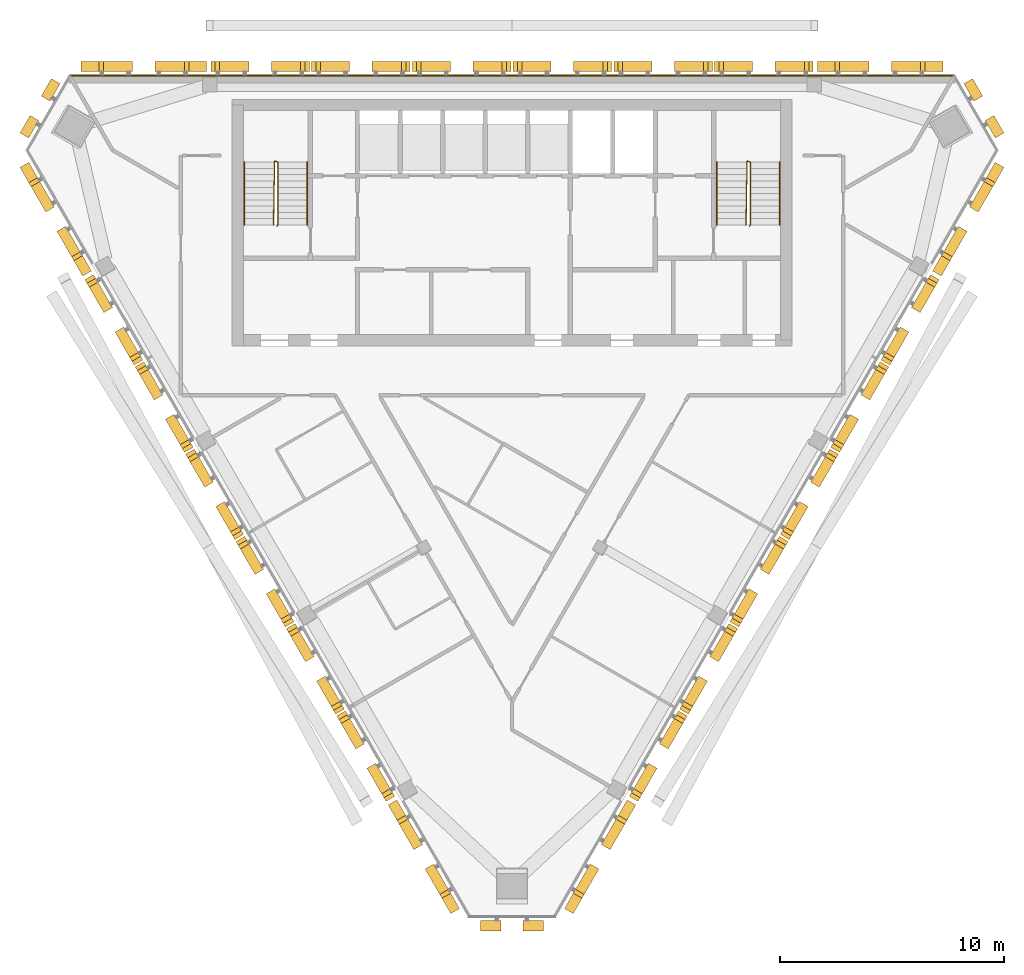
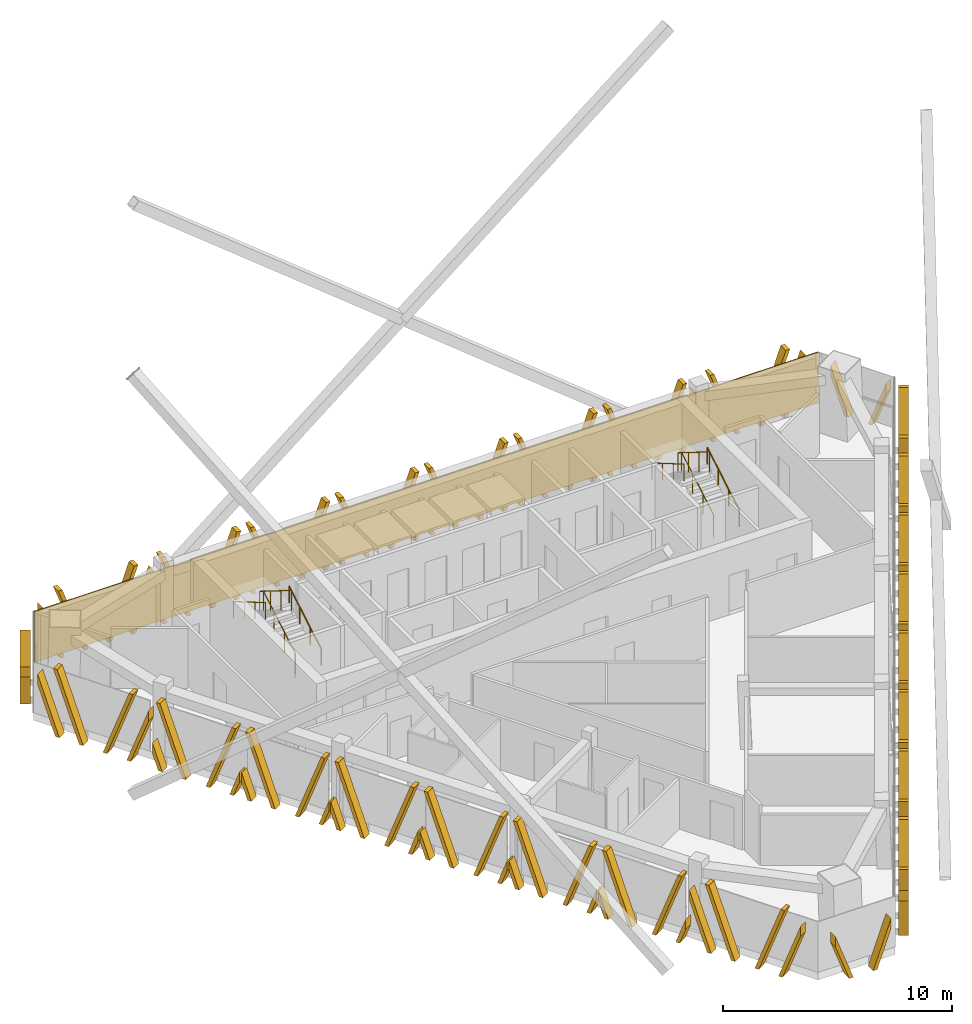
# One storey, part 11 of 12: 27 shading devices, 6 railings, 1 covering.
"""IFC4 building model written with IfcOpenShell, lengths in metres."""

from ifc_helpers import new_model, si_unit, direction, frame, frame_2d, origin, origin_2d, place, context, subcontext, project, spatial, polyline, rectangle, circle, outline, extrude, source, transform, mapped, material, layer, layer_set, type_object, element, save


model = new_model("IFC4")

# Units and contexts
model_context = context("Model", 3, precision=1e-05, world=origin(), true_north=direction((0.0, 1.0)))
body_context = subcontext(model_context, "Body", "Model", "MODEL_VIEW")
ifc_project = project(units=[si_unit("LENGTHUNIT", "METRE"), si_unit("AREAUNIT", "SQUARE_METRE"), si_unit("VOLUMEUNIT", "CUBIC_METRE"), si_unit("PLANEANGLEUNIT", "RADIAN"), si_unit("MASSUNIT", "GRAM", prefix="KILO")], contexts=[model_context])

# Site, building, storey
site_placement = place(None, origin())
site = spatial("IfcSite", under=ifc_project, at=site_placement, CompositionType="ELEMENT")
building_placement = place(site_placement, origin())
building = spatial("IfcBuilding", under=site, at=building_placement, Name="Altiplano Prism Tower", CompositionType="ELEMENT")
storey_placement = place(building_placement, frame((0.0, 0.0, 313.0)))
storey = spatial("IfcBuildingStorey", under=building, at=storey_placement, Name="L81", CompositionType="ELEMENT", Elevation=313.0)

# Railings
ifc_material_1 = material(Name="Steel S355", Category="steel")
railing_type_1 = type_object("IfcRailingType", Name="Stair guard 1100", PredefinedType="GUARDRAIL", material=ifc_material_1)
railing_1_placement = place(storey_placement, frame((74.5, 98.25, 0.0)))
element("IfcRailing", 1, at=railing_1_placement, inside=storey, type_object=railing_type_1, Name="L81 ST1 stair guard 1", PredefinedType="GUARDRAIL", context=body_context, shape_type="SweptSolid", body=[
    extrude(circle(Radius=0.02392578125, at=origin_2d()), frame((0.0, 0.0, 1.076171875), z_axis=(0.280808744504, 0.280808744504, 0.917765164963), x_axis=(-0.707106781187, 0.707106781187, 0.0)), (0.0, 0.0, 1.0), 0.17822265625),
    extrude(circle(Radius=0.02392578125, at=origin_2d()), frame((0.050048828125, 0.050048828125, 1.23974609375), z_axis=(0.0, 0.863360870873, 0.504586966384), x_axis=(-1.0, 0.0, 0.0)), (0.0, 0.0, 1.0), 3.2431640625),
    extrude(circle(Radius=0.02392578125, at=origin_2d()), frame((0.050048828125, 2.85009765625, 2.8759765625), z_axis=(-0.949145278916, 0.314838433982, 0.0), x_axis=(-0.314838433982, -0.949145278916, 0.0)), (0.0, 0.0, 1.0), 0.158203125),
    extrude(circle(Radius=0.02392578125, at=origin_2d()), frame((-0.10009765625, 2.89990234375, 2.8759765625), z_axis=(-0.01477401265, -0.845377694409, 0.533964682676), x_axis=(0.999847325713, -0.01747355902, 0.0)), (0.0, 0.0, 1.0), 3.37109375),
    extrude(circle(Radius=0.02099609375, at=origin_2d()), origin(), (0.0, 0.0, 1.0), 1.052001953125),
    extrude(circle(Radius=0.02099609375, at=origin_2d()), frame((0.050048828125, 0.050048828125, 0.16357421875)), (0.0, 0.0, 1.0), 1.052001953125),
    extrude(circle(Radius=0.02099609375, at=origin_2d()), frame((0.050048828125, 0.9833984375, 0.708984375)), (0.0, 0.0, 1.0), 1.052001953125),
    extrude(circle(Radius=0.02099609375, at=origin_2d()), frame((0.050048828125, 1.916748046875, 1.254638671875)), (0.0, 0.0, 1.0), 1.052001953125),
    extrude(circle(Radius=0.02099609375, at=origin_2d()), frame((0.050048828125, 2.85009765625, 1.800048828125)), (0.0, 0.0, 1.0), 1.052001953125),
    extrude(circle(Radius=0.02099609375, at=origin_2d()), frame((-0.10009765625, 2.89990234375, 1.800048828125)), (0.0, 0.0, 1.0), 1.052001953125),
    extrude(circle(Radius=0.02099609375, at=origin_2d()), frame((-0.11669921875, 1.949951171875, 2.400146484375)), (0.0, 0.0, 1.0), 1.052001953125),
    extrude(circle(Radius=0.02099609375, at=origin_2d()), frame((-0.13330078125, 1.0, 3.0)), (0.0, 0.0, 1.0), 1.052001953125),
    extrude(circle(Radius=0.02099609375, at=origin_2d()), frame((-0.14990234375, 0.050048828125, 3.60009765625)), (0.0, 0.0, 1.0), 1.052001953125),
])
railing_2_placement = place(storey_placement, frame((95.60009765625, 98.25, 0.0)))
element("IfcRailing", 2, at=railing_2_placement, inside=storey, type_object=railing_type_1, Name="L81 ST2 stair guard 1", PredefinedType="GUARDRAIL", context=body_context, shape_type="SweptSolid", body=[
    extrude(circle(Radius=0.02392578125, at=origin_2d()), frame((0.0, 0.0, 1.076171875), z_axis=(0.279546231943, 0.280916556609, 0.91811752648), x_axis=(-0.708833529934, 0.705375805398, 0.0)), (0.0, 0.0, 1.0), 0.17822265625),
    extrude(circle(Radius=0.02392578125, at=origin_2d()), frame((0.0498046875, 0.050048828125, 1.23974609375), z_axis=(0.0, 0.863360870873, 0.504586966384), x_axis=(-1.0, 0.0, 0.0)), (0.0, 0.0, 1.0), 3.2431640625),
    extrude(circle(Radius=0.02392578125, at=origin_2d()), frame((0.0498046875, 2.85009765625, 2.8759765625), z_axis=(-0.948991962702, 0.315300261223, 0.0), x_axis=(-0.315300261223, -0.948991962702, 0.0)), (0.0, 0.0, 1.0), 0.157958984375),
    extrude(circle(Radius=0.02392578125, at=origin_2d()), frame((-0.10009765625, 2.89990234375, 2.8759765625), z_axis=(-0.014846418356, -0.845376787675, 0.533964109957), x_axis=(0.999845825584, -0.017559187376, 0.0)), (0.0, 0.0, 1.0), 3.37109375),
    extrude(circle(Radius=0.02099609375, at=origin_2d()), origin(), (0.0, 0.0, 1.0), 1.052001953125),
    extrude(circle(Radius=0.02099609375, at=origin_2d()), frame((0.0498046875, 0.050048828125, 0.16357421875)), (0.0, 0.0, 1.0), 1.052001953125),
    extrude(circle(Radius=0.02099609375, at=origin_2d()), frame((0.0498046875, 0.9833984375, 0.708984375)), (0.0, 0.0, 1.0), 1.052001953125),
    extrude(circle(Radius=0.02099609375, at=origin_2d()), frame((0.0498046875, 1.916748046875, 1.254638671875)), (0.0, 0.0, 1.0), 1.052001953125),
    extrude(circle(Radius=0.02099609375, at=origin_2d()), frame((0.0498046875, 2.85009765625, 1.800048828125)), (0.0, 0.0, 1.0), 1.052001953125),
    extrude(circle(Radius=0.02099609375, at=origin_2d()), frame((-0.10009765625, 2.89990234375, 1.800048828125)), (0.0, 0.0, 1.0), 1.052001953125),
    extrude(circle(Radius=0.02099609375, at=origin_2d()), frame((-0.11669921875, 1.949951171875, 2.400146484375)), (0.0, 0.0, 1.0), 1.052001953125),
    extrude(circle(Radius=0.02099609375, at=origin_2d()), frame((-0.133544921875, 1.0, 3.0)), (0.0, 0.0, 1.0), 1.052001953125),
    extrude(circle(Radius=0.02099609375, at=origin_2d()), frame((-0.150146484375, 0.050048828125, 3.60009765625)), (0.0, 0.0, 1.0), 1.052001953125),
])
railing_type_2 = type_object("IfcRailingType", Name="Stair handrail 900", PredefinedType="HANDRAIL", material=ifc_material_1)
railing_3_placement = place(storey_placement, frame((75.85009765625, 98.300048828125, 0.16357421875)))
element("IfcRailing", 3, at=railing_3_placement, inside=storey, type_object=railing_type_2, Name="L81 ST1 stair handrail 1", PredefinedType="HANDRAIL", context=body_context, shape_type="SweptSolid", body=[
    extrude(circle(Radius=0.02392578125, at=origin_2d()), frame((0.0, 0.0, 0.8759765625), z_axis=(0.0, 0.863360870873, 0.504586966384), x_axis=(-1.0, 0.0, 0.0)), (0.0, 0.0, 1.0), 3.2431640625),
    extrude(circle(Radius=0.02099609375, at=origin_2d()), origin(), (0.0, 0.0, 1.0), 0.851806640625),
    extrude(circle(Radius=0.02099609375, at=origin_2d()), frame((0.0, 0.933349609375, 0.54541015625)), (0.0, 0.0, 1.0), 0.851806640625),
    extrude(circle(Radius=0.02099609375, at=origin_2d()), frame((0.0, 1.86669921875, 1.091064453125)), (0.0, 0.0, 1.0), 0.851806640625),
    extrude(circle(Radius=0.02099609375, at=origin_2d()), frame((0.0, 2.800048828125, 1.636474609375)), (0.0, 0.0, 1.0), 0.851806640625),
])
railing_4_placement = place(storey_placement, frame((73.050048828125, 101.10009765625, 1.963623046875)))
element("IfcRailing", 4, at=railing_4_placement, inside=storey, type_object=railing_type_2, Name="L81 ST1 stair handrail 2", PredefinedType="HANDRAIL", context=body_context, shape_type="SweptSolid", body=[
    extrude(circle(Radius=0.02392578125, at=origin_2d()), frame((0.0, 0.0, 0.8759765625), z_axis=(0.0, -0.863360870873, 0.504586966384), x_axis=(1.0, 0.0, 0.0)), (0.0, 0.0, 1.0), 3.2431640625),
    extrude(circle(Radius=0.02099609375, at=origin_2d()), origin(), (0.0, 0.0, 1.0), 0.851806640625),
    extrude(circle(Radius=0.02099609375, at=origin_2d()), frame((0.0, -0.933349609375, 0.54541015625)), (0.0, 0.0, 1.0), 0.851806640625),
    extrude(circle(Radius=0.02099609375, at=origin_2d()), frame((0.0, -1.86669921875, 1.091064453125)), (0.0, 0.0, 1.0), 0.851806640625),
    extrude(circle(Radius=0.02099609375, at=origin_2d()), frame((0.0, -2.800048828125, 1.636474609375)), (0.0, 0.0, 1.0), 0.851806640625),
])
railing_5_placement = place(storey_placement, frame((96.949951171875, 98.300048828125, 0.16357421875)))
element("IfcRailing", 5, at=railing_5_placement, inside=storey, type_object=railing_type_2, Name="L81 ST2 stair handrail 1", PredefinedType="HANDRAIL", context=body_context, shape_type="SweptSolid", body=[
    extrude(circle(Radius=0.02392578125, at=origin_2d()), frame((0.0, 0.0, 0.8759765625), z_axis=(0.0, 0.863360870873, 0.504586966384), x_axis=(-1.0, 0.0, 0.0)), (0.0, 0.0, 1.0), 3.2431640625),
    extrude(circle(Radius=0.02099609375, at=origin_2d()), origin(), (0.0, 0.0, 1.0), 0.851806640625),
    extrude(circle(Radius=0.02099609375, at=origin_2d()), frame((0.0, 0.933349609375, 0.54541015625)), (0.0, 0.0, 1.0), 0.851806640625),
    extrude(circle(Radius=0.02099609375, at=origin_2d()), frame((0.0, 1.86669921875, 1.091064453125)), (0.0, 0.0, 1.0), 0.851806640625),
    extrude(circle(Radius=0.02099609375, at=origin_2d()), frame((0.0, 2.800048828125, 1.636474609375)), (0.0, 0.0, 1.0), 0.851806640625),
])
railing_6_placement = place(storey_placement, frame((94.14990234375, 101.10009765625, 1.963623046875)))
element("IfcRailing", 6, at=railing_6_placement, inside=storey, type_object=railing_type_2, Name="L81 ST2 stair handrail 2", PredefinedType="HANDRAIL", context=body_context, shape_type="SweptSolid", body=[
    extrude(circle(Radius=0.02392578125, at=origin_2d()), frame((0.0, 0.0, 0.8759765625), z_axis=(0.0, -0.863360870873, 0.504586966384), x_axis=(1.0, 0.0, 0.0)), (0.0, 0.0, 1.0), 3.2431640625),
    extrude(circle(Radius=0.02099609375, at=origin_2d()), origin(), (0.0, 0.0, 1.0), 0.851806640625),
    extrude(circle(Radius=0.02099609375, at=origin_2d()), frame((0.0, -0.933349609375, 0.54541015625)), (0.0, 0.0, 1.0), 0.851806640625),
    extrude(circle(Radius=0.02099609375, at=origin_2d()), frame((0.0, -1.86669921875, 1.091064453125)), (0.0, 0.0, 1.0), 0.851806640625),
    extrude(circle(Radius=0.02099609375, at=origin_2d()), frame((0.0, -2.800048828125, 1.636474609375)), (0.0, 0.0, 1.0), 0.851806640625),
])

# Covering
ifc_material_2 = material(Name="Warm limestone cast stone", Category="masonry")
ifc_layer = layer(ifc_material_2, 0.06005859375)
ifc_layer_set = layer_set([ifc_layer], Name="Warm limestone cast stone")
covering_type = type_object("IfcCoveringType", Name="Stone cladding 60", PredefinedType="CLADDING", material=ifc_layer_set)
covering_placement = place(storey_placement, frame((65.221435546875, 104.969970703125, 0.0), z_axis=(0.0, 0.0, 1.0), x_axis=(1.0, 0.0, 0.0)))
element("IfcCovering", 7, at=covering_placement, inside=storey, type_object=covering_type, Name="Stone cladding north face L81", PredefinedType="CLADDING", context=body_context, shape_type="SweptSolid", body=[
    extrude(rectangle(XDim=39.55712890625, YDim=0.06005859375, at=frame_2d((19.778564453125, 0.0))), origin(), (0.0, 0.0, 1.0), 2.699951171875),
])

# Shading devices
shading_device_type_1 = type_object("IfcShadingDeviceType", Name="Stone fin panel, standard unit", PredefinedType="USERDEFINED", material=ifc_material_2)
shared_shape_1 = source(origin(), body_context, "Body", "SweptSolid", [
    extrude(outline(polyline([(-2.199951171875, 1.373779296875), (-2.199951171875, 0.82421875), (-1.89990234375, 0.0), (-1.699951171875, 0.0), (-2.199951171875, 1.373779296875)])), frame((0.0, -0.14990234375, 0.0), z_axis=(0.0, -1.0, 0.0), x_axis=(1.0, 0.0, 0.0)), (0.0, 0.0, 1.0), 0.4501953125),
    extrude(outline(polyline([(-2.01025390625, 3.60009765625), (-0.699951171875, 0.0), (-0.5, 0.0), (-1.810302734375, 3.60009765625), (-2.01025390625, 3.60009765625)])), frame((0.0, -0.14990234375, 0.0), z_axis=(0.0, -1.0, 0.0), x_axis=(1.0, 0.0, 0.0)), (0.0, 0.0, 1.0), 0.4501953125),
    extrude(outline(polyline([(1.810302734375, 3.60009765625), (0.5, 0.0), (0.699951171875, 0.0), (2.01025390625, 3.60009765625), (1.810302734375, 3.60009765625)])), frame((0.0, -0.14990234375, 0.0), z_axis=(0.0, -1.0, 0.0), x_axis=(1.0, 0.0, 0.0)), (0.0, 0.0, 1.0), 0.4501953125),
    extrude(outline(polyline([(2.199951171875, 0.82421875), (2.199951171875, 1.373779296875), (1.699951171875, 0.0), (1.89990234375, 0.0), (2.199951171875, 0.82421875)])), frame((0.0, -0.14990234375, 0.0), z_axis=(0.0, -1.0, 0.0), x_axis=(1.0, 0.0, 0.0)), (0.0, 0.0, 1.0), 0.4501953125),
])
shading_device_1_placement = place(storey_placement, origin())
element("IfcShadingDevice", 8, at=shading_device_1_placement, inside=storey, type_object=shading_device_type_1, Name="Fin L81 north face 2", ObjectType="FIN", PredefinedType="USERDEFINED", context=body_context, shape_type="MappedRepresentation", body=[
    mapped(shared_shape_1, transform((96.25, 105.0, -0.39990234375), x_axis=(-1.0, 0.0, 0.0), y_axis=(0.0, -1.0, 0.0), z_axis=(0.0, 0.0, 1.0))),
])
shading_device_2_placement = place(storey_placement, origin())
element("IfcShadingDevice", 9, at=shading_device_2_placement, inside=storey, type_object=shading_device_type_1, Name="Fin L81 north face 3", ObjectType="FIN", PredefinedType="USERDEFINED", context=body_context, shape_type="MappedRepresentation", body=[
    mapped(shared_shape_1, transform((91.75, 105.0, -0.39990234375), x_axis=(-1.0, 0.0, 0.0), y_axis=(0.0, -1.0, 0.0), z_axis=(0.0, 0.0, 1.0))),
])
shading_device_3_placement = place(storey_placement, origin())
element("IfcShadingDevice", 10, at=shading_device_3_placement, inside=storey, type_object=shading_device_type_1, Name="Fin L81 north face 4", ObjectType="FIN", PredefinedType="USERDEFINED", context=body_context, shape_type="MappedRepresentation", body=[
    mapped(shared_shape_1, transform((87.25, 105.0, -0.39990234375), x_axis=(-1.0, 0.0, 0.0), y_axis=(0.0, -1.0, 0.0), z_axis=(0.0, 0.0, 1.0))),
])
shading_device_4_placement = place(storey_placement, origin())
element("IfcShadingDevice", 11, at=shading_device_4_placement, inside=storey, type_object=shading_device_type_1, Name="Fin L81 north face 5", ObjectType="FIN", PredefinedType="USERDEFINED", context=body_context, shape_type="MappedRepresentation", body=[
    mapped(shared_shape_1, transform((82.75, 105.0, -0.39990234375), x_axis=(-1.0, 0.0, 0.0), y_axis=(0.0, -1.0, 0.0), z_axis=(0.0, 0.0, 1.0))),
])
shading_device_5_placement = place(storey_placement, origin())
element("IfcShadingDevice", 12, at=shading_device_5_placement, inside=storey, type_object=shading_device_type_1, Name="Fin L81 north face 6", ObjectType="FIN", PredefinedType="USERDEFINED", context=body_context, shape_type="MappedRepresentation", body=[
    mapped(shared_shape_1, transform((78.25, 105.0, -0.39990234375), x_axis=(-1.0, 0.0, 0.0), y_axis=(0.0, -1.0, 0.0), z_axis=(0.0, 0.0, 1.0))),
])
shading_device_6_placement = place(storey_placement, origin())
element("IfcShadingDevice", 13, at=shading_device_6_placement, inside=storey, type_object=shading_device_type_1, Name="Fin L81 north face 7", ObjectType="FIN", PredefinedType="USERDEFINED", context=body_context, shape_type="MappedRepresentation", body=[
    mapped(shared_shape_1, transform((73.75, 105.0, -0.39990234375), x_axis=(-1.0, 0.0, 0.0), y_axis=(0.0, -1.0, 0.0), z_axis=(0.0, 0.0, 1.0))),
])
shading_device_7_placement = place(storey_placement, origin())
element("IfcShadingDevice", 14, at=shading_device_7_placement, inside=storey, type_object=shading_device_type_1, Name="Fin L81 south-west face 2", ObjectType="FIN", PredefinedType="USERDEFINED", context=body_context, shape_type="MappedRepresentation", body=[
    mapped(shared_shape_1, transform((67.543212890625, 94.24951171875, -0.39990234375), x_axis=(0.500000004206, -0.866025401356, 0.0), y_axis=(0.866025401356, 0.500000004206, 0.0), z_axis=(0.0, 0.0, 1.0))),
])
shading_device_8_placement = place(storey_placement, origin())
element("IfcShadingDevice", 15, at=shading_device_8_placement, inside=storey, type_object=shading_device_type_1, Name="Fin L81 south-west face 3", ObjectType="FIN", PredefinedType="USERDEFINED", context=body_context, shape_type="MappedRepresentation", body=[
    mapped(shared_shape_1, transform((69.793212890625, 90.352294921875, -0.39990234375), x_axis=(0.500000004206, -0.866025401356, 0.0), y_axis=(0.866025401356, 0.500000004206, 0.0), z_axis=(0.0, 0.0, 1.0))),
])
shading_device_9_placement = place(storey_placement, origin())
element("IfcShadingDevice", 16, at=shading_device_9_placement, inside=storey, type_object=shading_device_type_1, Name="Fin L81 south-west face 4", ObjectType="FIN", PredefinedType="USERDEFINED", context=body_context, shape_type="MappedRepresentation", body=[
    mapped(shared_shape_1, transform((72.043212890625, 86.455322265625, -0.39990234375), x_axis=(0.500000004206, -0.866025401356, 0.0), y_axis=(0.866025401356, 0.500000004206, 0.0), z_axis=(0.0, 0.0, 1.0))),
])
shading_device_10_placement = place(storey_placement, origin())
element("IfcShadingDevice", 17, at=shading_device_10_placement, inside=storey, type_object=shading_device_type_1, Name="Fin L81 south-west face 5", ObjectType="FIN", PredefinedType="USERDEFINED", context=body_context, shape_type="MappedRepresentation", body=[
    mapped(shared_shape_1, transform((74.293212890625, 82.55810546875, -0.39990234375), x_axis=(0.500000004206, -0.866025401356, 0.0), y_axis=(0.866025401356, 0.500000004206, 0.0), z_axis=(0.0, 0.0, 1.0))),
])
shading_device_11_placement = place(storey_placement, origin())
element("IfcShadingDevice", 18, at=shading_device_11_placement, inside=storey, type_object=shading_device_type_1, Name="Fin L81 south-west face 6", ObjectType="FIN", PredefinedType="USERDEFINED", context=body_context, shape_type="MappedRepresentation", body=[
    mapped(shared_shape_1, transform((76.543212890625, 78.6611328125, -0.39990234375), x_axis=(0.500000004206, -0.866025401356, 0.0), y_axis=(0.866025401356, 0.500000004206, 0.0), z_axis=(0.0, 0.0, 1.0))),
])
shading_device_12_placement = place(storey_placement, origin())
element("IfcShadingDevice", 19, at=shading_device_12_placement, inside=storey, type_object=shading_device_type_1, Name="Fin L81 south-west face 7", ObjectType="FIN", PredefinedType="USERDEFINED", context=body_context, shape_type="MappedRepresentation", body=[
    mapped(shared_shape_1, transform((78.793212890625, 74.763916015625, -0.39990234375), x_axis=(0.500000004206, -0.866025401356, 0.0), y_axis=(0.866025401356, 0.500000004206, 0.0), z_axis=(0.0, 0.0, 1.0))),
])
shading_device_13_placement = place(storey_placement, origin())
element("IfcShadingDevice", 20, at=shading_device_13_placement, inside=storey, type_object=shading_device_type_1, Name="Fin L81 south-east face 2", ObjectType="FIN", PredefinedType="USERDEFINED", context=body_context, shape_type="MappedRepresentation", body=[
    mapped(shared_shape_1, transform((91.206787109375, 74.763916015625, -0.39990234375), x_axis=(0.500000004206, 0.866025401356, 0.0), y_axis=(-0.866025401356, 0.500000004206, 0.0), z_axis=(0.0, 0.0, 1.0))),
])
shading_device_14_placement = place(storey_placement, origin())
element("IfcShadingDevice", 21, at=shading_device_14_placement, inside=storey, type_object=shading_device_type_1, Name="Fin L81 south-east face 3", ObjectType="FIN", PredefinedType="USERDEFINED", context=body_context, shape_type="MappedRepresentation", body=[
    mapped(shared_shape_1, transform((93.456787109375, 78.6611328125, -0.39990234375), x_axis=(0.500000004206, 0.866025401356, 0.0), y_axis=(-0.866025401356, 0.500000004206, 0.0), z_axis=(0.0, 0.0, 1.0))),
])
shading_device_15_placement = place(storey_placement, origin())
element("IfcShadingDevice", 22, at=shading_device_15_placement, inside=storey, type_object=shading_device_type_1, Name="Fin L81 south-east face 4", ObjectType="FIN", PredefinedType="USERDEFINED", context=body_context, shape_type="MappedRepresentation", body=[
    mapped(shared_shape_1, transform((95.706787109375, 82.55810546875, -0.39990234375), x_axis=(0.500000004206, 0.866025401356, 0.0), y_axis=(-0.866025401356, 0.500000004206, 0.0), z_axis=(0.0, 0.0, 1.0))),
])
shading_device_16_placement = place(storey_placement, origin())
element("IfcShadingDevice", 23, at=shading_device_16_placement, inside=storey, type_object=shading_device_type_1, Name="Fin L81 south-east face 5", ObjectType="FIN", PredefinedType="USERDEFINED", context=body_context, shape_type="MappedRepresentation", body=[
    mapped(shared_shape_1, transform((97.956787109375, 86.455322265625, -0.39990234375), x_axis=(0.500000004206, 0.866025401356, 0.0), y_axis=(-0.866025401356, 0.500000004206, 0.0), z_axis=(0.0, 0.0, 1.0))),
])
shading_device_17_placement = place(storey_placement, origin())
element("IfcShadingDevice", 24, at=shading_device_17_placement, inside=storey, type_object=shading_device_type_1, Name="Fin L81 south-east face 6", ObjectType="FIN", PredefinedType="USERDEFINED", context=body_context, shape_type="MappedRepresentation", body=[
    mapped(shared_shape_1, transform((100.206787109375, 90.352294921875, -0.39990234375), x_axis=(0.500000004206, 0.866025401356, 0.0), y_axis=(-0.866025401356, 0.500000004206, 0.0), z_axis=(0.0, 0.0, 1.0))),
])
shading_device_18_placement = place(storey_placement, origin())
element("IfcShadingDevice", 25, at=shading_device_18_placement, inside=storey, type_object=shading_device_type_1, Name="Fin L81 south-east face 7", ObjectType="FIN", PredefinedType="USERDEFINED", context=body_context, shape_type="MappedRepresentation", body=[
    mapped(shared_shape_1, transform((102.456787109375, 94.24951171875, -0.39990234375), x_axis=(0.500000004206, 0.866025401356, 0.0), y_axis=(-0.866025401356, 0.500000004206, 0.0), z_axis=(0.0, 0.0, 1.0))),
])
shading_device_type_2 = type_object("IfcShadingDeviceType", Name="Stone fin panel, chamfer unit", PredefinedType="USERDEFINED", material=ifc_material_2)
shared_shape_2 = source(origin(), body_context, "Body", "SweptSolid", [
    extrude(outline(polyline([(-1.39990234375, 2.47265625), (-1.39990234375, 1.923095703125), (-0.699951171875, 0.0), (-0.5, 0.0), (-1.39990234375, 2.47265625)])), frame((0.0, -0.14990234375, 0.0), z_axis=(0.0, -1.0, 0.0), x_axis=(1.0, 0.0, 0.0)), (0.0, 0.0, 1.0), 0.4501953125),
    extrude(outline(polyline([(1.39990234375, 1.923095703125), (1.39990234375, 2.47265625), (0.5, 0.0), (0.699951171875, 0.0), (1.39990234375, 1.923095703125)])), frame((0.0, -0.14990234375, 0.0), z_axis=(0.0, -1.0, 0.0), x_axis=(1.0, 0.0, 0.0)), (0.0, 0.0, 1.0), 0.4501953125),
])
shading_device_19_placement = place(storey_placement, origin())
element("IfcShadingDevice", 26, at=shading_device_19_placement, inside=storey, type_object=shading_device_type_2, Name="Fin L81 north-west chamfer 1", ObjectType="FIN", PredefinedType="USERDEFINED", context=body_context, shape_type="MappedRepresentation", body=[
    mapped(shared_shape_2, transform((64.250244140625, 103.317626953125, -0.39990234375), x_axis=(-0.499999977027, -0.866025417048, 0.0), y_axis=(0.866025417048, -0.499999977027, 0.0), z_axis=(0.0, 0.0, 1.0))),
])
shading_device_20_placement = place(storey_placement, origin())
element("IfcShadingDevice", 27, at=shading_device_20_placement, inside=storey, type_object=shading_device_type_2, Name="Fin L81 south chamfer 1", ObjectType="FIN", PredefinedType="USERDEFINED", context=body_context, shape_type="MappedRepresentation", body=[
    mapped(shared_shape_2, transform((85.0, 67.378173828125, -0.39990234375), x_axis=(1.0, 0.0, 0.0), y_axis=(0.0, 1.0, 0.0), z_axis=(0.0, 0.0, 1.0))),
])
shading_device_21_placement = place(storey_placement, origin())
element("IfcShadingDevice", 28, at=shading_device_21_placement, inside=storey, type_object=shading_device_type_2, Name="Fin L81 north-east chamfer 1", ObjectType="FIN", PredefinedType="USERDEFINED", context=body_context, shape_type="MappedRepresentation", body=[
    mapped(shared_shape_2, transform((105.749755859375, 103.317626953125, -0.39990234375), x_axis=(-0.499999977027, 0.866025417048, 0.0), y_axis=(-0.866025417048, -0.499999977027, 0.0), z_axis=(0.0, 0.0, 1.0))),
])
shading_device_type_3 = type_object("IfcShadingDeviceType", Name="Stone fin panel, wide closing bay", PredefinedType="USERDEFINED", material=ifc_material_2)
shared_shape_3 = source(origin(), body_context, "Body", "SweptSolid", [
    extrude(outline(polyline([(-2.800048828125, 3.022216796875), (-2.800048828125, 2.47265625), (-1.89990234375, 0.0), (-1.699951171875, 0.0), (-2.800048828125, 3.022216796875)])), frame((0.0, -0.14990234375, 0.0), z_axis=(0.0, -1.0, 0.0), x_axis=(1.0, 0.0, 0.0)), (0.0, 0.0, 1.0), 0.4501953125),
    extrude(outline(polyline([(-2.01025390625, 3.60009765625), (-0.699951171875, 0.0), (-0.5, 0.0), (-1.810302734375, 3.60009765625), (-2.01025390625, 3.60009765625)])), frame((0.0, -0.14990234375, 0.0), z_axis=(0.0, -1.0, 0.0), x_axis=(1.0, 0.0, 0.0)), (0.0, 0.0, 1.0), 0.4501953125),
    extrude(outline(polyline([(1.810302734375, 3.60009765625), (0.5, 0.0), (0.699951171875, 0.0), (2.01025390625, 3.60009765625), (1.810302734375, 3.60009765625)])), frame((0.0, -0.14990234375, 0.0), z_axis=(0.0, -1.0, 0.0), x_axis=(1.0, 0.0, 0.0)), (0.0, 0.0, 1.0), 0.4501953125),
    extrude(outline(polyline([(2.800048828125, 2.47265625), (2.800048828125, 3.022216796875), (1.699951171875, 0.0), (1.89990234375, 0.0), (2.800048828125, 2.47265625)])), frame((0.0, -0.14990234375, 0.0), z_axis=(0.0, -1.0, 0.0), x_axis=(1.0, 0.0, 0.0)), (0.0, 0.0, 1.0), 0.4501953125),
])
shading_device_22_placement = place(storey_placement, origin())
element("IfcShadingDevice", 29, at=shading_device_22_placement, inside=storey, type_object=shading_device_type_3, Name="Fin L81 north face 1", ObjectType="FIN", PredefinedType="USERDEFINED", context=body_context, shape_type="MappedRepresentation", body=[
    mapped(shared_shape_3, transform((101.439208984375, 105.0, -0.39990234375), x_axis=(-1.0, 0.0, 0.0), y_axis=(0.0, -1.0, 0.0), z_axis=(0.0, 0.0, 1.0))),
])
shading_device_23_placement = place(storey_placement, origin())
element("IfcShadingDevice", 30, at=shading_device_23_placement, inside=storey, type_object=shading_device_type_3, Name="Fin L81 north face 8", ObjectType="FIN", PredefinedType="USERDEFINED", context=body_context, shape_type="MappedRepresentation", body=[
    mapped(shared_shape_3, transform((68.560791015625, 105.0, -0.39990234375), x_axis=(-1.0, 0.0, 0.0), y_axis=(0.0, -1.0, 0.0), z_axis=(0.0, 0.0, 1.0))),
])
shading_device_24_placement = place(storey_placement, origin())
element("IfcShadingDevice", 31, at=shading_device_24_placement, inside=storey, type_object=shading_device_type_3, Name="Fin L81 south-west face 1", ObjectType="FIN", PredefinedType="USERDEFINED", context=body_context, shape_type="MappedRepresentation", body=[
    mapped(shared_shape_3, transform((64.948486328125, 98.743408203125, -0.39990234375), x_axis=(0.500000004206, -0.866025401356, 0.0), y_axis=(0.866025401356, 0.500000004206, 0.0), z_axis=(0.0, 0.0, 1.0))),
])
shading_device_25_placement = place(storey_placement, origin())
element("IfcShadingDevice", 32, at=shading_device_25_placement, inside=storey, type_object=shading_device_type_3, Name="Fin L81 south-west face 8", ObjectType="FIN", PredefinedType="USERDEFINED", context=body_context, shape_type="MappedRepresentation", body=[
    mapped(shared_shape_3, transform((81.3876953125, 70.27001953125, -0.39990234375), x_axis=(0.500000004206, -0.866025401356, 0.0), y_axis=(0.866025401356, 0.500000004206, 0.0), z_axis=(0.0, 0.0, 1.0))),
])
shading_device_26_placement = place(storey_placement, origin())
element("IfcShadingDevice", 33, at=shading_device_26_placement, inside=storey, type_object=shading_device_type_3, Name="Fin L81 south-east face 1", ObjectType="FIN", PredefinedType="USERDEFINED", context=body_context, shape_type="MappedRepresentation", body=[
    mapped(shared_shape_3, transform((88.6123046875, 70.27001953125, -0.39990234375), x_axis=(0.500000004206, 0.866025401356, 0.0), y_axis=(-0.866025401356, 0.500000004206, 0.0), z_axis=(0.0, 0.0, 1.0))),
])
shading_device_27_placement = place(storey_placement, origin())
element("IfcShadingDevice", 34, at=shading_device_27_placement, inside=storey, type_object=shading_device_type_3, Name="Fin L81 south-east face 8", ObjectType="FIN", PredefinedType="USERDEFINED", context=body_context, shape_type="MappedRepresentation", body=[
    mapped(shared_shape_3, transform((105.051513671875, 98.743408203125, -0.39990234375), x_axis=(0.500000004206, 0.866025401356, 0.0), y_axis=(-0.866025401356, 0.500000004206, 0.0), z_axis=(0.0, 0.0, 1.0))),
])

save(model, "model.ifc")
